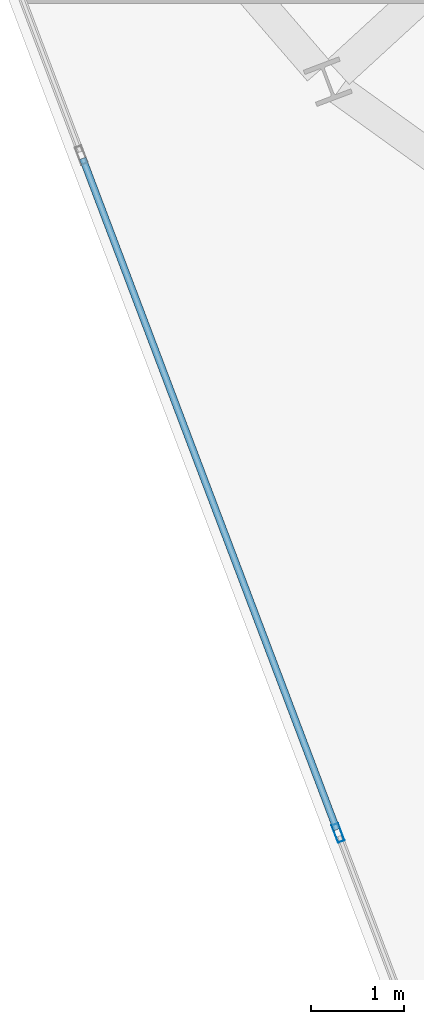
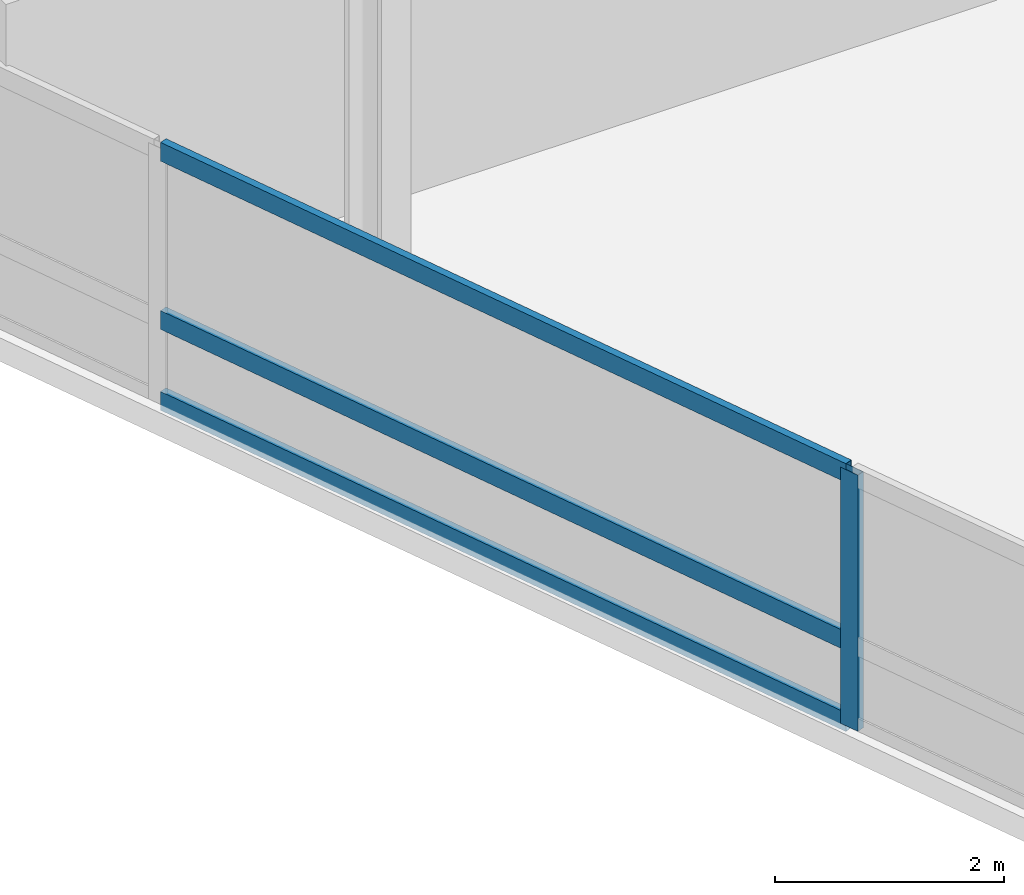
# One storey, part 4 of 23: 4 members, 1 element without a shape of its own.
"""IFC4 building model written with IfcOpenShell, lengths in metres."""

from ifc_helpers import new_model, si_unit, direction, frame, origin, origin_2d, place, context, subcontext, project, spatial, hollow_rectangle, extrude, material, layer, layer_set, material_profile, profile_set, type_object, element, aggregate, save


model = new_model("IFC4")

# Units and contexts
model_context = context("Model", 3, precision=1e-05, world=origin(), true_north=direction((0.0, 1.0)))
body_context = subcontext(model_context, "Body", "Model", "MODEL_VIEW")
ifc_project = project(units=[si_unit("LENGTHUNIT", "METRE"), si_unit("AREAUNIT", "SQUARE_METRE"), si_unit("VOLUMEUNIT", "CUBIC_METRE"), si_unit("PLANEANGLEUNIT", "RADIAN"), si_unit("MASSUNIT", "GRAM", prefix="KILO")], contexts=[model_context])

# Site, building, storey
site_placement = place(None, origin())
site = spatial("IfcSite", under=ifc_project, at=site_placement, CompositionType="ELEMENT")
building_placement = place(site_placement, origin())
building = spatial("IfcBuilding", under=site, at=building_placement, Name="Varnelok Gate Tower", CompositionType="ELEMENT")
storey_placement = place(building_placement, frame((0.0, 0.0, 227.5)))
storey = spatial("IfcBuildingStorey", under=building, at=storey_placement, Name="L58", CompositionType="ELEMENT", Elevation=227.5)

# Curtain wall, members
ifc_material = material(Name="Anodized Aluminum Alloy 6063-T6", Category="aluminium")
ifc_layer = layer(ifc_material, 0.179931640625)
ifc_layer_set = layer_set([ifc_layer], Name="Anodized Aluminum Alloy 6063-T6")
curtain_wall_type = type_object("IfcCurtainWallType", Name="CW4-RESIDENCE-VISION", PredefinedType="USERDEFINED", material=ifc_layer_set)
curtain_wall_placement = place(storey_placement, origin())
curtain_wall = element("IfcCurtainWall", 1, at=curtain_wall_placement, inside=storey, type_object=curtain_wall_type, Name="L58 West End Vision Curtain Wall", ObjectType="UNITISED CURTAIN WALL", PredefinedType="USERDEFINED")
ifc_material_profile_1 = material_profile(ifc_material, hollow_rectangle(XDim=0.074951171875, YDim=0.199951171875, WallThickness=0.00390625, at=origin_2d()), Name="ALU200X75X4")
ifc_profile_set_1 = profile_set([ifc_material_profile_1], Name="Anodized Aluminum Alloy 6063-T6")
member_type_1 = type_object("IfcMemberType", Name="CW-MULL-200", PredefinedType="MULLION", material=ifc_profile_set_1)
member_1_placement = place(storey_placement, frame((11.13671875, 6.33544921875, 0.0), z_axis=(0.0, 0.0, 1.0), x_axis=(-0.935221557832, -0.354063042079, 0.0)))
member_1 = element("IfcMember", 2, at=member_1_placement, type_object=member_type_1, Name="CW4 mullion 2", PredefinedType="MULLION", context=body_context, shape_type="SweptSolid", body=[
    extrude(hollow_rectangle(XDim=0.074951171875, YDim=0.199951171875, WallThickness=0.00390625, at=origin_2d()), origin(), (0.0, 0.0, 1.0), 2.72998046875),
])
ifc_material_profile_2 = material_profile(ifc_material, hollow_rectangle(XDim=0.074951171875, YDim=0.199951171875, WallThickness=0.00390625, at=origin_2d()), Name="ALU200X75X4")
ifc_profile_set_2 = profile_set([ifc_material_profile_2], Name="Anodized Aluminum Alloy 6063-T6")
member_type_2 = type_object("IfcMemberType", Name="CW-TRAN-200", PredefinedType="USERDEFINED", material=ifc_profile_set_2)
member_2_placement = place(storey_placement, frame((11.12353515625, 6.370361328125, 0.03759765625), z_axis=(-0.354058714128, 0.935223196328, 0.0), x_axis=(-0.935223196328, -0.354058714128, 0.0)))
member_2 = element("IfcMember", 3, at=member_2_placement, type_object=member_type_2, Name="CW4 transom 2.1", ObjectType="TRANSOM", PredefinedType="USERDEFINED", context=body_context, shape_type="SweptSolid", body=[
    extrude(hollow_rectangle(XDim=0.074951171875, YDim=0.199951171875, WallThickness=0.00390625, at=origin_2d()), origin(), (0.0, 0.0, 1.0), 7.72509765625),
])
member_3_placement = place(storey_placement, frame((11.12353515625, 6.370361328125, 0.89990234375), z_axis=(-0.354058714128, 0.935223196328, 0.0), x_axis=(-0.935223196328, -0.354058714128, 0.0)))
member_3 = element("IfcMember", 4, at=member_3_placement, type_object=member_type_2, Name="CW4 transom 2.2", ObjectType="TRANSOM", PredefinedType="USERDEFINED", context=body_context, shape_type="SweptSolid", body=[
    extrude(hollow_rectangle(XDim=0.074951171875, YDim=0.199951171875, WallThickness=0.00390625, at=origin_2d()), origin(), (0.0, 0.0, 1.0), 7.72509765625),
])
member_4_placement = place(storey_placement, frame((11.12353515625, 6.370361328125, 2.6923828125), z_axis=(-0.354058714128, 0.935223196328, 0.0), x_axis=(-0.935223196328, -0.354058714128, 0.0)))
member_4 = element("IfcMember", 5, at=member_4_placement, type_object=member_type_2, Name="CW4 transom 2.3", ObjectType="TRANSOM", PredefinedType="USERDEFINED", context=body_context, shape_type="SweptSolid", body=[
    extrude(hollow_rectangle(XDim=0.074951171875, YDim=0.199951171875, WallThickness=0.00390625, at=origin_2d()), origin(), (0.0, 0.0, 1.0), 7.72509765625),
])
aggregate(curtain_wall, [member_1, member_2, member_3, member_4])

save(model, "model.ifc")
